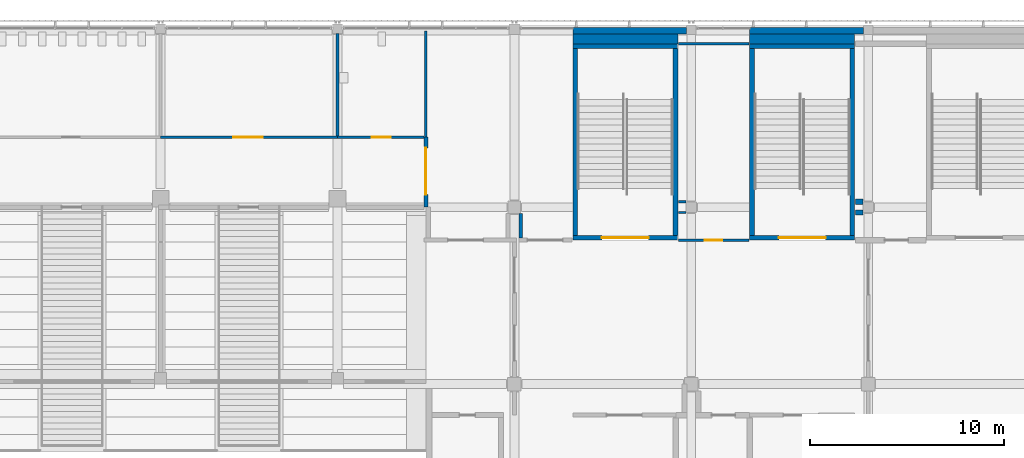
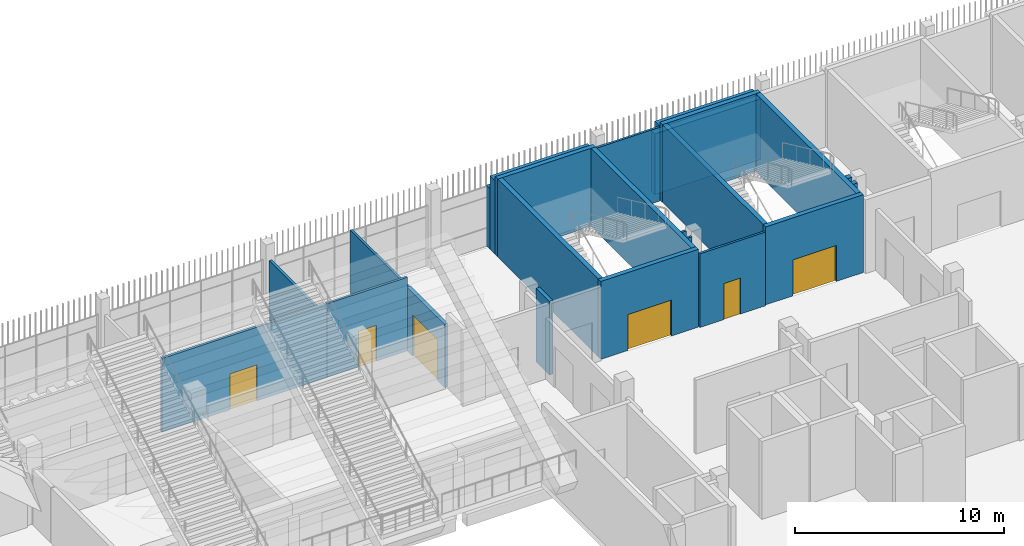
# One storey, part 88 of 139: 24 walls, 6 doors, 6 openings.
"""IFC4 building model written with IfcOpenShell, lengths in metres."""

from ifc_helpers import new_model, si_unit, direction, frame, frame_2d, origin, place, context, subcontext, project, spatial, rectangle, extrude, material, layer, layer_set, type_object, element, fill, save


model = new_model("IFC4")

# Units and contexts
model_context = context("Model", 3, precision=1e-05, world=origin(), true_north=direction((0.0, 1.0)))
body_context = subcontext(model_context, "Body", "Model", "MODEL_VIEW")
ifc_project = project(units=[si_unit("LENGTHUNIT", "METRE"), si_unit("AREAUNIT", "SQUARE_METRE"), si_unit("VOLUMEUNIT", "CUBIC_METRE"), si_unit("PLANEANGLEUNIT", "RADIAN"), si_unit("MASSUNIT", "GRAM", prefix="KILO")], contexts=[model_context])

# Site, building, storey
site_placement = place(None, origin())
site = spatial("IfcSite", under=ifc_project, at=site_placement, CompositionType="ELEMENT")
building_placement = place(site_placement, origin())
building = spatial("IfcBuilding", under=site, at=building_placement, Name="Shirokan Park Arena", CompositionType="ELEMENT")
storey_placement = place(building_placement, frame((0.0, 0.0, 15.469970703125)))
storey = spatial("IfcBuildingStorey", under=building, at=storey_placement, Name="L03", CompositionType="ELEMENT", Elevation=15.469970703125)

# Wall, opening, door
ifc_material_1 = material(Name="Gypsum board")
ifc_layer_1 = layer(ifc_material_1, 0.02490234375, Name="Gypsum board, two layers")
ifc_material_2 = material(Name="Mineral wool insulation")
ifc_layer_2 = layer(ifc_material_2, 0.14990234375, Name="Mineral wool insulation")
ifc_layer_3 = layer(ifc_material_1, 0.02490234375, Name="Gypsum board, two layers")
ifc_layer_set_1 = layer_set([ifc_layer_1, ifc_layer_2, ifc_layer_3], Name="Gypsum board, two layers + Mineral wool insulation")
wall_type_1 = type_object("IfcWallType", Name="Corridor wall 200", PredefinedType="PARTITIONING", material=ifc_layer_set_1)
wall_1_placement = place(storey_placement, frame((104.64990234375, 100.10009765625, 0.0), z_axis=(0.0, 0.0, 1.0), x_axis=(0.0, 1.0, 0.0)))
wall_1 = element("IfcWall", 1, at=wall_1_placement, inside=storey, type_object=wall_type_1, Name="Corridor wall 200 L03", PredefinedType="PARTITIONING", context=body_context, shape_type="SweptSolid", body=[
    extrude(rectangle(XDim=3.599853515625, YDim=0.199951171875, at=frame_2d((1.7998046875, 0.0))), origin(), (0.0, 0.0, 1.0), 3.699951171875),
])
opening_1_placement = place(wall_1_placement, frame((0.64990234375, 0.0, 0.0)))
opening_1 = element("IfcOpeningElement", 2, at=opening_1_placement, cuts=wall_1, Name="Opening D-3125", PredefinedType="OPENING", context=body_context, shape_type="SweptSolid", body=[
    extrude(rectangle(XDim=2.39990234375, YDim=2.39990234375, at=frame_2d((1.199951171875, 1.199951171875))), frame((0.0, 0.10986328125, 0.0), z_axis=(0.0, -1.0, 0.0), x_axis=(1.0, 0.0, 0.0)), (0.0, 0.0, 1.0), 0.219970703125),
])
ifc_material_3 = material(Name="Steel door set, fire resisting", Category="steel")
door_type_1 = type_object("IfcDoorType", Name="Double door 2400 x 2400", OperationType="DOUBLE_DOOR_SINGLE_SWING", PredefinedType="DOOR", material=ifc_material_3)
door_1_placement = place(opening_1_placement, origin())
door_1 = element("IfcDoor", 3, at=door_1_placement, inside=storey, type_object=door_type_1, Name="Door between Ring Link 3.3 and Suite Corridor 3.03 D-3125", OperationType="DOUBLE_DOOR_SINGLE_SWING", OverallHeight=2.39990234375, OverallWidth=2.39990234375, PredefinedType="DOOR", context=body_context, shape_type="SweptSolid", body=[
    extrude(rectangle(XDim=2.39990234375, YDim=2.39990234375, at=frame_2d((1.199951171875, 1.199951171875))), frame((0.0, 0.02490234375, 0.0), z_axis=(0.0, -1.0, 0.0), x_axis=(1.0, 0.0, 0.0)), (0.0, 0.0, 1.0), 0.050048828125),
])
fill(opening_1, door_1)

# Walls
wall_2_placement = place(storey_placement, frame((109.52490234375, 99.77490234375, 0.0), z_axis=(0.0, 0.0, 1.0), x_axis=(0.0, -1.0, 0.0)))
element("IfcWall", 4, at=wall_2_placement, inside=storey, type_object=wall_type_1, Name="Corridor wall 200 L03", PredefinedType="PARTITIONING", context=body_context, shape_type="SweptSolid", body=[
    extrude(rectangle(XDim=1.27490234375, YDim=0.199951171875, at=frame_2d((0.637451171875, 0.0))), origin(), (0.0, 0.0, 1.0), 4.300048828125),
])
ifc_material_4 = material(Name="Cedar cladding")
ifc_layer_4 = layer(ifc_material_4, 0.030029296875, Name="Cedar cladding")
ifc_layer_5 = layer(ifc_material_2, 0.10009765625, Name="Mineral wool insulation")
ifc_material_5 = material(Name="Concrete C35", Category="concrete")
ifc_layer_6 = layer(ifc_material_5, 0.199951171875, Name="Concrete C35")
ifc_material_6 = material(Name="Gypsum board lining")
ifc_layer_7 = layer(ifc_material_6, 0.02001953125, Name="Gypsum board lining")
ifc_layer_set_2 = layer_set([ifc_layer_4, ifc_layer_5, ifc_layer_6, ifc_layer_7], Name="Cedar cladding + Mineral wool insulation + Concrete C35 + Gypsum board lining")
wall_type_2 = type_object("IfcWallType", Name="Insulated tower wall 350", PredefinedType="SOLIDWALL", material=ifc_layer_set_2)
wall_3_placement = place(storey_placement, frame((127.14990234375, 109.175048828125, 0.0), z_axis=(0.0, 0.0, 1.0), x_axis=(-1.0, 0.0, 0.0)))
element("IfcWall", 5, at=wall_3_placement, inside=storey, type_object=wall_type_2, Name="North facade wall bay 3 L03", PredefinedType="SOLIDWALL", context=body_context, shape_type="SweptSolid", body=[
    extrude(rectangle(XDim=5.849853515625, YDim=0.35009765625, at=frame_2d((2.9248046875, 0.0))), origin(), (0.0, 0.0, 1.0), 3.550048828125),
])
wall_4_placement = place(storey_placement, frame((118.050048828125, 109.175048828125, 0.0), z_axis=(0.0, 0.0, 1.0), x_axis=(-1.0, 0.0, 0.0)))
element("IfcWall", 6, at=wall_4_placement, inside=storey, type_object=wall_type_2, Name="North facade wall bay 4 L03", PredefinedType="SOLIDWALL", context=body_context, shape_type="SweptSolid", body=[
    extrude(rectangle(XDim=5.85009765625, YDim=0.35009765625, at=frame_2d((2.925048828125, 0.0))), origin(), (0.0, 0.0, 1.0), 3.550048828125),
])

# Wall, opening, door
ifc_material_7 = material(Name="Ceramic tile")
ifc_layer_8 = layer(ifc_material_7, 0.010009765625, Name="Ceramic tile")
ifc_material_8 = material(Name="Render")
ifc_layer_9 = layer(ifc_material_8, 0.010009765625, Name="Render")
ifc_material_9 = material(Name="Concrete blockwork", Category="masonry")
ifc_layer_10 = layer(ifc_material_9, 0.10009765625, Name="Concrete blockwork 100")
ifc_layer_11 = layer(ifc_material_8, 0.010009765625, Name="Render")
ifc_layer_12 = layer(ifc_material_7, 0.010009765625, Name="Ceramic tile")
ifc_layer_set_3 = layer_set([ifc_layer_8, ifc_layer_9, ifc_layer_10, ifc_layer_11, ifc_layer_12], Name="Ceramic tile + Render + Concrete blockwork 100")
wall_type_3 = type_object("IfcWallType", Name="Kitchen wall 140", PredefinedType="SOLIDWALL", material=ifc_layer_set_3)
wall_5_placement = place(storey_placement, frame((91.0, 103.699951171875, 0.0), z_axis=(0.0, 0.0, 1.0), x_axis=(1.0, 0.0, 0.0)))
wall_5 = element("IfcWall", 7, at=wall_5_placement, inside=storey, type_object=wall_type_3, Name="Kitchen wall 140 L03", PredefinedType="SOLIDWALL", context=body_context, shape_type="SweptSolid", body=[
    extrude(rectangle(XDim=9.10009765625, YDim=0.139892578125, at=frame_2d((4.550048828125, 0.0))), origin(), (0.0, 0.0, 1.0), 4.300048828125),
])
opening_2_placement = place(wall_5_placement, frame((3.75, 0.0, 0.0)))
opening_2 = element("IfcOpeningElement", 8, at=opening_2_placement, cuts=wall_5, Name="Opening D-3053", PredefinedType="OPENING", context=body_context, shape_type="SweptSolid", body=[
    extrude(rectangle(XDim=1.5, YDim=2.10009765625, at=frame_2d((0.75, 1.050048828125))), frame((0.0, 0.079833984375, 0.0), z_axis=(0.0, -1.0, 0.0), x_axis=(1.0, 0.0, 0.0)), (0.0, 0.0, 1.0), 0.159912109375),
])
ifc_material_10 = material(Name="Stainless steel door set, fire resisting", Category="steel")
door_type_2 = type_object("IfcDoorType", Name="Kitchen door 1500 x 2100", OperationType="DOUBLE_DOOR_SINGLE_SWING", PredefinedType="DOOR", material=ifc_material_10)
door_2_placement = place(opening_2_placement, origin())
door_2 = element("IfcDoor", 9, at=door_2_placement, inside=storey, type_object=door_type_2, Name="Door to Suite Pantry 3.37 D-3053", OperationType="DOUBLE_DOOR_SINGLE_SWING", OverallHeight=2.10009765625, OverallWidth=1.5, PredefinedType="DOOR", context=body_context, shape_type="SweptSolid", body=[
    extrude(rectangle(XDim=1.5, YDim=2.10009765625, at=frame_2d((0.75, 1.050048828125))), frame((0.0, 0.02490234375, 0.0), z_axis=(0.0, -1.0, 0.0), x_axis=(1.0, 0.0, 0.0)), (0.0, 0.0, 1.0), 0.050048828125),
])
fill(opening_2, door_2)

# Walls
wall_6_placement = place(storey_placement, frame((100.10009765625, 109.02490234375, 0.0), z_axis=(0.0, 0.0, 1.0), x_axis=(0.0, -1.0, 0.0)))
element("IfcWall", 10, at=wall_6_placement, inside=storey, type_object=wall_type_3, Name="Kitchen wall 140 L03", PredefinedType="SOLIDWALL", context=body_context, shape_type="SweptSolid", body=[
    extrude(rectangle(XDim=5.2548828125, YDim=0.139892578125, at=frame_2d((2.62744140625, 0.0))), origin(), (0.0, 0.0, 1.0), 3.60009765625),
])
ifc_material_11 = material(Name="Plaster")
ifc_layer_13 = layer(ifc_material_11, 0.012451171875, Name="Plaster")
ifc_layer_14 = layer(ifc_material_9, 0.25, Name="Concrete blockwork 250")
ifc_layer_15 = layer(ifc_material_11, 0.012451171875, Name="Plaster")
ifc_layer_set_4 = layer_set([ifc_layer_13, ifc_layer_14, ifc_layer_15], Name="Plaster + Concrete blockwork 250")
wall_type_4 = type_object("IfcWallType", Name="Plant room wall 275", PredefinedType="SOLIDWALL", material=ifc_layer_set_4)
for number, where, z_axis, x_axis, name in (
    (11, (126.72998046875, 99.824951171875, 0.0), (0.0, 0.0, 1.0), (1.0, 0.0, 0.0), "Plant room wall 275 L03"),
    (12, (127.125, 100.375, 0.0), (0.0, 0.0, 1.0), (-1.0, 0.0, 0.0), "Plant room wall 275 L03"),
):
    element("IfcWall", number, at=place(storey_placement, frame(where, z_axis=z_axis, x_axis=x_axis)), inside=storey, type_object=wall_type_4, Name=name, PredefinedType="SOLIDWALL", context=body_context, shape_type="SweptSolid", body=[
        extrude(rectangle(XDim=0.39501953125, YDim=0.27490234375, at=frame_2d((0.197509765625, 0.0))), origin(), (0.0, 0.0, 1.0), 4.300048828125),
    ])

# Wall, opening, door
ifc_material_12 = material(Name="Concrete C40/50", Category="concrete")
ifc_layer_16 = layer(ifc_material_12, 0.25)
ifc_layer_set_5 = layer_set([ifc_layer_16], Name="Concrete C40/50 250 mm")
wall_type_5 = type_object("IfcWallType", Name="RC shear wall 250", PredefinedType="SHEAR", material=ifc_layer_set_5)
wall_7_placement = place(storey_placement, frame((126.699951171875, 98.52490234375, 0.0), z_axis=(0.0, 0.0, 1.0), x_axis=(-1.0, 0.0, 0.0)))
wall_7 = element("IfcWall", 13, at=wall_7_placement, inside=storey, type_object=wall_type_5, Name="Shaft wall Exit Stair 3.C S L03", PredefinedType="SHEAR", context=body_context, shape_type="SweptSolid", body=[
    extrude(rectangle(XDim=5.39990234375, YDim=0.25, at=frame_2d((2.699951171875, 0.0))), origin(), (0.0, 0.0, 1.0), 4.550048828125),
])
opening_3_placement = place(wall_7_placement, frame((1.5, 0.0, 0.0)))
opening_3 = element("IfcOpeningElement", 14, at=opening_3_placement, cuts=wall_7, Name="Opening D-3163", PredefinedType="OPENING", context=body_context, shape_type="SweptSolid", body=[
    extrude(rectangle(XDim=2.39990234375, YDim=2.10009765625, at=frame_2d((1.199951171875, 1.050048828125))), frame((0.0, 0.135009765625, 0.0), z_axis=(0.0, -1.0, 0.0), x_axis=(1.0, 0.0, 0.0)), (0.0, 0.0, 1.0), 0.27001953125),
])
door_type_3 = type_object("IfcDoorType", Name="Stair door 2400 x 2100", OperationType="DOUBLE_DOOR_SINGLE_SWING", PredefinedType="DOOR", material=ifc_material_3)
door_3_placement = place(opening_3_placement, origin())
door_3 = element("IfcDoor", 15, at=door_3_placement, inside=storey, type_object=door_type_3, Name="Stair door Exit Stair 3.C D-3163", OperationType="DOUBLE_DOOR_SINGLE_SWING", OverallHeight=2.10009765625, OverallWidth=2.39990234375, PredefinedType="DOOR", context=body_context, shape_type="SweptSolid", body=[
    extrude(rectangle(XDim=2.39990234375, YDim=2.10009765625, at=frame_2d((1.199951171875, 1.050048828125))), frame((0.0, 0.02490234375, 0.0), z_axis=(0.0, -1.0, 0.0), x_axis=(1.0, 0.0, 0.0)), (0.0, 0.0, 1.0), 0.050048828125),
])
fill(opening_3, door_3)

# Walls
wall_8_placement = place(storey_placement, frame((126.699951171875, 108.375, 0.0), z_axis=(0.0, 0.0, 1.0), x_axis=(-1.0, 0.0, 0.0)))
element("IfcWall", 16, at=wall_8_placement, inside=storey, type_object=wall_type_5, Name="Shaft wall Exit Stair 3.C N L03", PredefinedType="SHEAR", context=body_context, shape_type="SweptSolid", body=[
    extrude(rectangle(XDim=5.39990234375, YDim=0.25, at=frame_2d((2.699951171875, 0.0))), origin(), (0.0, 0.0, 1.0), 4.550048828125),
])
for number, where, z_axis, x_axis, name in (
    (17, (121.425048828125, 108.25, 0.0), (0.0, 0.0, 1.0), (0.0, -1.0, 0.0), "Shaft wall Exit Stair 3.C W L03"),
    (18, (126.574951171875, 108.25, 0.0), (0.0, 0.0, 1.0), (0.0, -1.0, 0.0), "Shaft wall Exit Stair 3.C E L03"),
):
    element("IfcWall", number, at=place(storey_placement, frame(where, z_axis=z_axis, x_axis=x_axis)), inside=storey, type_object=wall_type_5, Name=name, PredefinedType="SHEAR", context=body_context, shape_type="SweptSolid", body=[
        extrude(rectangle(XDim=9.60009765625, YDim=0.25, at=frame_2d((4.800048828125, 0.0))), origin(), (0.0, 0.0, 1.0), 4.550048828125),
    ])

# Wall, opening, door
wall_9_placement = place(storey_placement, frame((117.60009765625, 98.52490234375, 0.0), z_axis=(0.0, 0.0, 1.0), x_axis=(-1.0, 0.0, 0.0)))
wall_9 = element("IfcWall", 19, at=wall_9_placement, inside=storey, type_object=wall_type_5, Name="Shaft wall Exit Stair 3.D S L03", PredefinedType="SHEAR", context=body_context, shape_type="SweptSolid", body=[
    extrude(rectangle(XDim=5.400146484375, YDim=0.25, at=frame_2d((2.7001953125, 0.0))), origin(), (0.0, 0.0, 1.0), 4.550048828125),
])
opening_4_placement = place(wall_9_placement, frame((1.5, 0.0, 0.0)))
opening_4 = element("IfcOpeningElement", 20, at=opening_4_placement, cuts=wall_9, Name="Opening D-3164", PredefinedType="OPENING", context=body_context, shape_type="SweptSolid", body=[
    extrude(rectangle(XDim=2.39990234375, YDim=2.10009765625, at=frame_2d((1.199951171875, 1.050048828125))), frame((0.0, 0.135009765625, 0.0), z_axis=(0.0, -1.0, 0.0), x_axis=(1.0, 0.0, 0.0)), (0.0, 0.0, 1.0), 0.27001953125),
])
door_4_placement = place(opening_4_placement, origin())
door_4 = element("IfcDoor", 21, at=door_4_placement, inside=storey, type_object=door_type_3, Name="Stair door Exit Stair 3.D D-3164", OperationType="DOUBLE_DOOR_SINGLE_SWING", OverallHeight=2.10009765625, OverallWidth=2.39990234375, PredefinedType="DOOR", context=body_context, shape_type="SweptSolid", body=[
    extrude(rectangle(XDim=2.39990234375, YDim=2.10009765625, at=frame_2d((1.199951171875, 1.050048828125))), frame((0.0, 0.02490234375, 0.0), z_axis=(0.0, -1.0, 0.0), x_axis=(1.0, 0.0, 0.0)), (0.0, 0.0, 1.0), 0.050048828125),
])
fill(opening_4, door_4)

# Walls
wall_10_placement = place(storey_placement, frame((117.60009765625, 108.375, 0.0), z_axis=(0.0, 0.0, 1.0), x_axis=(-1.0, 0.0, 0.0)))
element("IfcWall", 22, at=wall_10_placement, inside=storey, type_object=wall_type_5, Name="Shaft wall Exit Stair 3.D N L03", PredefinedType="SHEAR", context=body_context, shape_type="SweptSolid", body=[
    extrude(rectangle(XDim=5.400146484375, YDim=0.25, at=frame_2d((2.7001953125, 0.0))), origin(), (0.0, 0.0, 1.0), 4.550048828125),
])
for number, where, z_axis, x_axis, name in (
    (23, (112.324951171875, 108.25, 0.0), (0.0, 0.0, 1.0), (0.0, -1.0, 0.0), "Shaft wall Exit Stair 3.D W L03"),
    (24, (117.47509765625, 108.25, 0.0), (0.0, 0.0, 1.0), (0.0, -1.0, 0.0), "Shaft wall Exit Stair 3.D E L03"),
):
    element("IfcWall", number, at=place(storey_placement, frame(where, z_axis=z_axis, x_axis=x_axis)), inside=storey, type_object=wall_type_5, Name=name, PredefinedType="SHEAR", context=body_context, shape_type="SweptSolid", body=[
        extrude(rectangle(XDim=9.60009765625, YDim=0.25, at=frame_2d((4.800048828125, 0.0))), origin(), (0.0, 0.0, 1.0), 4.550048828125),
    ])
ifc_layer_17 = layer(ifc_material_5, 0.5)
ifc_layer_set_6 = layer_set([ifc_layer_17], Name="Concrete C35 500 mm")
wall_type_6 = type_object("IfcWallType", Name="Shaft infill wall 500", PredefinedType="SOLIDWALL", material=ifc_layer_set_6)
wall_11_placement = place(storey_placement, frame((121.300048828125, 108.75, 0.0), z_axis=(0.0, 0.0, 1.0), x_axis=(1.0, 0.0, 0.0)))
element("IfcWall", 25, at=wall_11_placement, inside=storey, type_object=wall_type_6, Name="Shaft infill wall L03", PredefinedType="SOLIDWALL", context=body_context, shape_type="SweptSolid", body=[
    extrude(rectangle(XDim=5.39990234375, YDim=0.5, at=frame_2d((2.699951171875, 0.0))), origin(), (0.0, 0.0, 1.0), 4.300048828125),
])
wall_12_placement = place(storey_placement, frame((112.199951171875, 108.75, 0.0), z_axis=(0.0, 0.0, 1.0), x_axis=(1.0, 0.0, 0.0)))
element("IfcWall", 26, at=wall_12_placement, inside=storey, type_object=wall_type_6, Name="Shaft infill wall L03", PredefinedType="SOLIDWALL", context=body_context, shape_type="SweptSolid", body=[
    extrude(rectangle(XDim=5.400146484375, YDim=0.5, at=frame_2d((2.7001953125, 0.0))), origin(), (0.0, 0.0, 1.0), 4.300048828125),
])

# Wall, opening, door
ifc_layer_18 = layer(ifc_material_7, 0.010009765625, Name="Ceramic tile")
ifc_material_13 = material(Name="Cement board")
ifc_layer_19 = layer(ifc_material_13, 0.012451171875, Name="Cement board")
ifc_layer_20 = layer(ifc_material_2, 0.080078125, Name="Mineral wool insulation")
ifc_layer_21 = layer(ifc_material_13, 0.012451171875, Name="Cement board")
ifc_layer_22 = layer(ifc_material_7, 0.010009765625, Name="Ceramic tile")
ifc_layer_set_7 = layer_set([ifc_layer_18, ifc_layer_19, ifc_layer_20, ifc_layer_21, ifc_layer_22], Name="Ceramic tile + Cement board + Mineral wool insulation")
wall_type_7 = type_object("IfcWallType", Name="Wet-area wall 125", PredefinedType="PARTITIONING", material=ifc_layer_set_7)
wall_13_placement = place(storey_placement, frame((100.10009765625, 103.699951171875, 0.0), z_axis=(0.0, 0.0, 1.0), x_axis=(1.0, 0.0, 0.0)))
wall_13 = element("IfcWall", 27, at=wall_13_placement, inside=storey, type_object=wall_type_7, Name="Wet-area wall 125 L03", PredefinedType="PARTITIONING", context=body_context, shape_type="SweptSolid", body=[
    extrude(rectangle(XDim=4.449951171875, YDim=0.125, at=frame_2d((2.22509765625, 0.0))), origin(), (0.0, 0.0, 1.0), 4.300048828125),
])
opening_5_placement = place(wall_13_placement, frame((1.75, 0.0, 0.0)))
opening_5 = element("IfcOpeningElement", 28, at=opening_5_placement, cuts=wall_13, Name="Opening D-3054", PredefinedType="OPENING", context=body_context, shape_type="SweptSolid", body=[
    extrude(rectangle(XDim=1.0, YDim=2.10009765625, at=frame_2d((0.5, 1.050048828125))), frame((0.0, 0.072509765625, 0.0), z_axis=(0.0, -1.0, 0.0), x_axis=(1.0, 0.0, 0.0)), (0.0, 0.0, 1.0), 0.14501953125),
])
ifc_material_14 = material(Name="Timber door set, fire resisting", Category="wood")
door_type_4 = type_object("IfcDoorType", Name="Accessible WC door 1000 x 2100", OperationType="SINGLE_SWING_RIGHT", PredefinedType="DOOR", material=ifc_material_14)
door_5_placement = place(opening_5_placement, origin())
door_5 = element("IfcDoor", 29, at=door_5_placement, inside=storey, type_object=door_type_4, Name="Door to Accessible WC 3.38 D-3054", OperationType="SINGLE_SWING_LEFT", OverallHeight=2.10009765625, OverallWidth=1.0, PredefinedType="DOOR", context=body_context, shape_type="SweptSolid", body=[
    extrude(rectangle(XDim=1.0, YDim=2.10009765625, at=frame_2d((0.5, 1.050048828125))), frame((0.0, 0.02490234375, 0.0), z_axis=(0.0, -1.0, 0.0), x_axis=(1.0, 0.0, 0.0)), (0.0, 0.0, 1.0), 0.050048828125),
])
fill(opening_5, door_5)

# Wall
wall_14_placement = place(storey_placement, frame((104.64990234375, 103.699951171875, 0.0), z_axis=(0.0, 0.0, 1.0), x_axis=(0.0, 1.0, 0.0)))
element("IfcWall", 30, at=wall_14_placement, inside=storey, type_object=wall_type_7, Name="Wet-area wall 125 L03", PredefinedType="PARTITIONING", context=body_context, shape_type="SweptSolid", body=[
    extrude(rectangle(XDim=5.469970703125, YDim=0.125, at=frame_2d((2.73486328125, 0.0))), origin(), (0.0, 0.0, 1.0), 3.699951171875),
])

# Wall, opening, door
wall_15_placement = place(storey_placement, frame((117.6298828125, 98.39990234375, 0.0), z_axis=(0.0, 0.0, 1.0), x_axis=(1.0, 0.0, 0.0)))
wall_15 = element("IfcWall", 31, at=wall_15_placement, inside=storey, type_object=wall_type_7, Name="Wet-area wall 125 L03", PredefinedType="PARTITIONING", context=body_context, shape_type="SweptSolid", body=[
    extrude(rectangle(XDim=3.64013671875, YDim=0.125, at=frame_2d((1.820068359375, 0.0))), origin(), (0.0, 0.0, 1.0), 4.300048828125),
])
opening_6_placement = place(wall_15_placement, frame((1.35009765625, 0.0, 0.0)))
opening_6 = element("IfcOpeningElement", 32, at=opening_6_placement, cuts=wall_15, Name="Opening D-3028", PredefinedType="OPENING", context=body_context, shape_type="SweptSolid", body=[
    extrude(rectangle(XDim=0.89990234375, YDim=2.10009765625, at=frame_2d((0.449951171875, 1.050048828125))), frame((0.0, 0.072509765625, 0.0), z_axis=(0.0, -1.0, 0.0), x_axis=(1.0, 0.0, 0.0)), (0.0, 0.0, 1.0), 0.14501953125),
])
door_type_5 = type_object("IfcDoorType", Name="Door 900 x 2100", OperationType="SINGLE_SWING_LEFT", PredefinedType="DOOR", material=ifc_material_14)
door_6_placement = place(opening_6_placement, origin())
door_6 = element("IfcDoor", 33, at=door_6_placement, inside=storey, type_object=door_type_5, Name="Door to Staff WC 3.32 D-3028", OperationType="SINGLE_SWING_RIGHT", OverallHeight=2.10009765625, OverallWidth=0.89990234375, PredefinedType="DOOR", context=body_context, shape_type="SweptSolid", body=[
    extrude(rectangle(XDim=0.89990234375, YDim=2.10009765625, at=frame_2d((0.449951171875, 1.050048828125))), frame((0.0, 0.02490234375, 0.0), z_axis=(0.0, -1.0, 0.0), x_axis=(1.0, 0.0, 0.0)), (0.0, 0.0, 1.0), 0.050048828125),
])
fill(opening_6, door_6)

# Walls
wall_16_placement = place(storey_placement, frame((117.6298828125, 99.824951171875, 0.0), z_axis=(0.0, 0.0, 1.0), x_axis=(1.0, 0.0, 0.0)))
element("IfcWall", 34, at=wall_16_placement, inside=storey, type_object=wall_type_7, Name="Wet-area wall 125 L03", PredefinedType="PARTITIONING", context=body_context, shape_type="SweptSolid", body=[
    extrude(rectangle(XDim=0.39501953125, YDim=0.125, at=frame_2d((0.197509765625, 0.0))), origin(), (0.0, 0.0, 1.0), 4.300048828125),
])
wall_17_placement = place(storey_placement, frame((117.6298828125, 108.5, 0.0), z_axis=(0.0, 0.0, 1.0), x_axis=(1.0, 0.0, 0.0)))
element("IfcWall", 35, at=wall_17_placement, inside=storey, type_object=wall_type_7, Name="Wet-area wall 125 L03", PredefinedType="PARTITIONING", context=body_context, shape_type="SweptSolid", body=[
    extrude(rectangle(XDim=3.64013671875, YDim=0.125, at=frame_2d((1.820068359375, 0.0))), origin(), (0.0, 0.0, 1.0), 4.300048828125),
])
wall_18_placement = place(storey_placement, frame((118.02490234375, 100.375, 0.0), z_axis=(0.0, 0.0, 1.0), x_axis=(-1.0, 0.0, 0.0)))
element("IfcWall", 36, at=wall_18_placement, inside=storey, type_object=wall_type_7, Name="Wet-area wall 125 L03", PredefinedType="PARTITIONING", context=body_context, shape_type="SweptSolid", body=[
    extrude(rectangle(XDim=0.39501953125, YDim=0.125, at=frame_2d((0.197509765625, 0.0))), origin(), (0.0, 0.0, 1.0), 4.300048828125),
])

save(model, "model.ifc")
